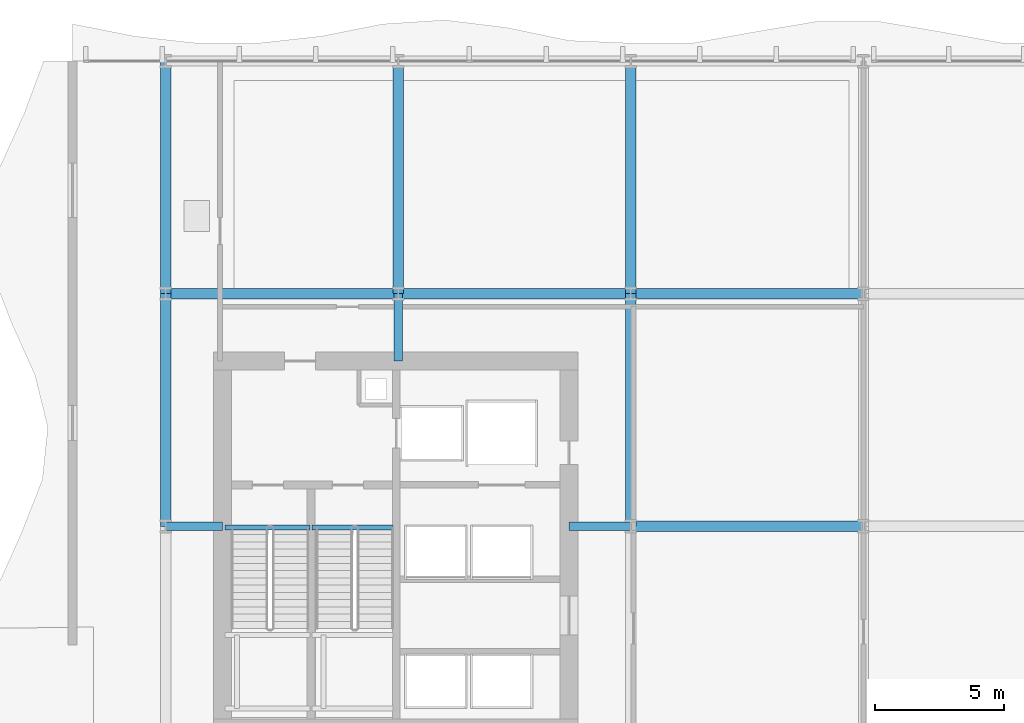
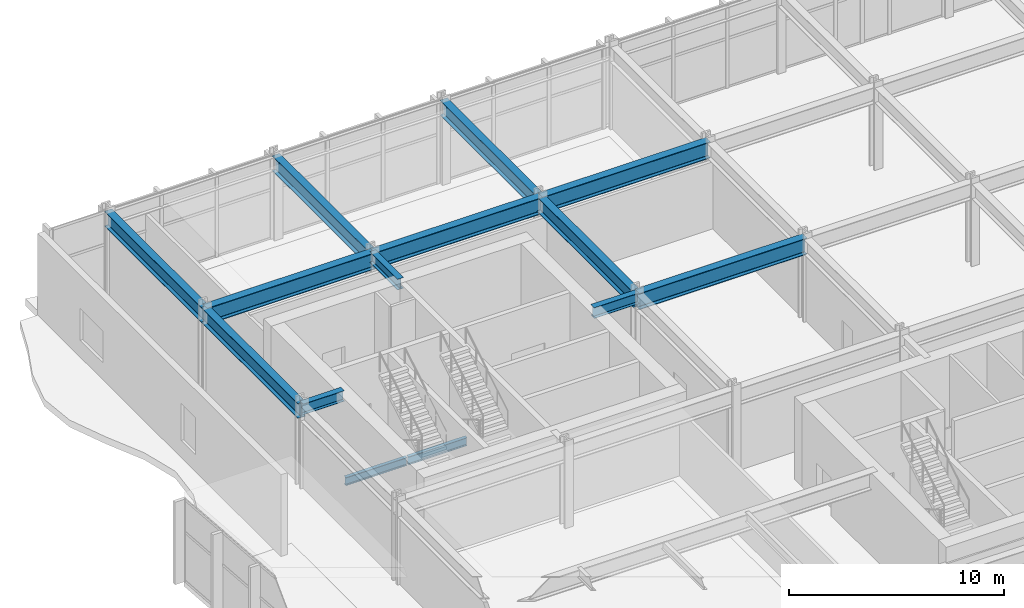
# One storey, part 12 of 28: 14 beams.
"""IFC4 building model written with IfcOpenShell, lengths in metres."""

from ifc_helpers import new_model, si_unit, direction, frame, origin, origin_2d, place, context, subcontext, project, spatial, i_section, extrude, material, material_profile, profile_set, type_object, element, save


model = new_model("IFC4")

# Units and contexts
model_context = context("Model", 3, precision=1e-05, world=origin(), true_north=direction((0.0, 1.0)))
body_context = subcontext(model_context, "Body", "Model", "MODEL_VIEW")
ifc_project = project(units=[si_unit("LENGTHUNIT", "METRE"), si_unit("AREAUNIT", "SQUARE_METRE"), si_unit("VOLUMEUNIT", "CUBIC_METRE"), si_unit("PLANEANGLEUNIT", "RADIAN"), si_unit("MASSUNIT", "GRAM", prefix="KILO")], contexts=[model_context])

# Site, building, storey
site_placement = place(None, origin())
site = spatial("IfcSite", under=ifc_project, at=site_placement, CompositionType="ELEMENT")
building_placement = place(site_placement, origin())
building = spatial("IfcBuilding", under=site, at=building_placement, Name="Solvaryn Broadcast Tower", CompositionType="ELEMENT")
storey_placement = place(building_placement, frame((0.0, 0.0, 16.199951171875)))
storey = spatial("IfcBuildingStorey", under=building, at=storey_placement, Name="L03", CompositionType="ELEMENT", Elevation=16.199951171875)

# Beams
ifc_material_1 = material(Name="Steel ASTM A992 Grade 50", Category="steel")
ifc_material_profile_1 = material_profile(ifc_material_1, i_section(OverallWidth=0.323974609375, OverallDepth=0.611083984375, WebThickness=0.0126953125, FlangeThickness=0.01904296875, FilletRadius=0.014892578125, at=origin_2d()))
ifc_profile_set_1 = profile_set([ifc_material_profile_1], Name="Steel ASTM A992 Grade 50")
beam_type_1 = type_object("IfcBeamType", Name="BM-B1-W24X104", PredefinedType="BEAM", material=ifc_profile_set_1)
beam_1_placement = place(storey_placement, frame((9.0, 36.0, 4.37451171875), z_axis=(1.0, 0.0, 0.0), x_axis=(0.0, 1.0, 0.0)))
element("IfcBeam", 1, at=beam_1_placement, inside=storey, type_object=beam_type_1, Name="L03 Core Tie Beam CTW1", PredefinedType="BEAM", context=body_context, shape_type="SweptSolid", body=[
    extrude(i_section(OverallWidth=0.323974609375, OverallDepth=0.611083984375, WebThickness=0.0126953125, FlangeThickness=0.01904296875, FilletRadius=0.014892578125, at=origin_2d()), origin(), (0.0, 0.0, 1.0), 2.199951171875),
])
beam_2_placement = place(storey_placement, frame((24.60009765625, 36.0, 4.37451171875), z_axis=(1.0, 0.0, 0.0), x_axis=(0.0, 1.0, 0.0)))
element("IfcBeam", 2, at=beam_2_placement, inside=storey, type_object=beam_type_1, Name="L03 Core Tie Beam CTW2", PredefinedType="BEAM", context=body_context, shape_type="SweptSolid", body=[
    extrude(i_section(OverallWidth=0.323974609375, OverallDepth=0.611083984375, WebThickness=0.0126953125, FlangeThickness=0.01904296875, FilletRadius=0.014892578125, at=origin_2d()), origin(), (0.0, 0.0, 1.0), 2.39990234375),
])
beam_3_placement = place(storey_placement, frame((18.0, 42.39990234375, 4.37451171875), z_axis=(0.0, 1.0, 0.0), x_axis=(-1.0, 0.0, 0.0)))
element("IfcBeam", 3, at=beam_3_placement, inside=storey, type_object=beam_type_1, Name="L03 Core Tie Beam CTW3", PredefinedType="BEAM", context=body_context, shape_type="SweptSolid", body=[
    extrude(i_section(OverallWidth=0.323974609375, OverallDepth=0.611083984375, WebThickness=0.0126953125, FlangeThickness=0.01904296875, FilletRadius=0.014892578125, at=origin_2d()), origin(), (0.0, 0.0, 1.0), 2.60009765625),
])
ifc_material_2 = material(Name="Steel ASTM A992 Grade 50", Category="steel")
ifc_material_profile_2 = material_profile(ifc_material_2, i_section(OverallWidth=0.18994140625, OverallDepth=0.45703125, WebThickness=0.009033203125, FlangeThickness=0.014404296875, FilletRadius=0.011962890625, at=origin_2d()))
ifc_profile_set_2 = profile_set([ifc_material_profile_2], Name="Steel ASTM A992 Grade 50")
beam_type_2 = type_object("IfcBeamType", Name="BM-B4-W18X50", PredefinedType="BEAM", material=ifc_profile_set_2)
beam_4_placement = place(storey_placement, frame((11.300048828125, 35.9599609375, -0.54833984375), z_axis=(1.0, 0.0, 0.0), x_axis=(0.0, 1.0, 0.0)))
element("IfcBeam", 4, at=beam_4_placement, inside=storey, type_object=beam_type_2, Name="L03 ST1 Stair Well Trimmer Beam", PredefinedType="BEAM", context=body_context, shape_type="SweptSolid", body=[
    extrude(i_section(OverallWidth=0.18994140625, OverallDepth=0.45703125, WebThickness=0.009033203125, FlangeThickness=0.014404296875, FilletRadius=0.011962890625, at=origin_2d()), origin(), (0.0, 0.0, 1.0), 3.280029296875),
])
beam_5_placement = place(storey_placement, frame((14.659912109375, 35.9599609375, -0.54833984375), z_axis=(1.0, 0.0, 0.0), x_axis=(0.0, 1.0, 0.0)))
element("IfcBeam", 5, at=beam_5_placement, inside=storey, type_object=beam_type_2, Name="L03 ST2 Stair Well Trimmer Beam", PredefinedType="BEAM", context=body_context, shape_type="SweptSolid", body=[
    extrude(i_section(OverallWidth=0.18994140625, OverallDepth=0.45703125, WebThickness=0.009033203125, FlangeThickness=0.014404296875, FilletRadius=0.011962890625, at=origin_2d()), origin(), (0.0, 0.0, 1.0), 3.14013671875),
])
ifc_material_3 = material(Name="Steel ASTM A992 Grade 50", Category="steel")
ifc_material_profile_3 = material_profile(ifc_material_3, i_section(OverallWidth=0.41796875, OverallDepth=0.927001953125, WebThickness=0.019287109375, FlangeThickness=0.031982421875, FilletRadius=0.02392578125, at=origin_2d()))
ifc_profile_set_3 = profile_set([ifc_material_profile_3], Name="Steel ASTM A992 Grade 50")
beam_type_3 = type_object("IfcBeamType", Name="BM-G2-W36X231", PredefinedType="BEAM", material=ifc_profile_set_3)
for number, where, z_axis, x_axis, name in (
    (6, (27.0, 36.0, 4.216552734375), (1.0, 0.0, 0.0), (0.0, 1.0, 0.0), "L03 Primary Beam X (27-36 @ Y=36)"),
    (7, (9.0, 45.0, 4.216552734375), (1.0, 0.0, 0.0), (0.0, 1.0, 0.0), "L03 Primary Beam X (9-18 @ Y=45)"),
    (8, (18.0, 45.0, 4.216552734375), (1.0, 0.0, 0.0), (0.0, 1.0, 0.0), "L03 Primary Beam X (18-27 @ Y=45)"),
    (9, (27.0, 45.0, 4.216552734375), (1.0, 0.0, 0.0), (0.0, 1.0, 0.0), "L03 Primary Beam X (27-36 @ Y=45)"),
):
    element("IfcBeam", number, at=place(storey_placement, frame(where, z_axis=z_axis, x_axis=x_axis)), inside=storey, type_object=beam_type_3, Name=name, PredefinedType="BEAM", context=body_context, shape_type="SweptSolid", body=[
        extrude(i_section(OverallWidth=0.41796875, OverallDepth=0.927001953125, WebThickness=0.019287109375, FlangeThickness=0.031982421875, FilletRadius=0.02392578125, at=origin_2d()), origin(), (0.0, 0.0, 1.0), 9.0),
    ])
ifc_material_4 = material(Name="Steel ASTM A992 Grade 50", Category="steel")
ifc_material_profile_4 = material_profile(ifc_material_4, i_section(OverallWidth=0.39990234375, OverallDepth=0.85498046875, WebThickness=0.018310546875, FlangeThickness=0.029296875, FilletRadius=0.02001953125, at=origin_2d()))
ifc_profile_set_4 = profile_set([ifc_material_profile_4], Name="Steel ASTM A992 Grade 50")
beam_type_4 = type_object("IfcBeamType", Name="BM-G3-W33X201", PredefinedType="BEAM", material=ifc_profile_set_4)
for number, where, z_axis, x_axis, name in (
    (10, (9.0, 36.0, 4.25244140625), (0.0, 1.0, 0.0), (-1.0, 0.0, 0.0), "L03 Primary Beam Y (36-45 @ X=9)"),
    (11, (9.0, 45.0, 4.25244140625), (0.0, 1.0, 0.0), (-1.0, 0.0, 0.0), "L03 Primary Beam Y (45-54 @ X=9)"),
    (12, (18.0, 45.0, 4.25244140625), (0.0, 1.0, 0.0), (-1.0, 0.0, 0.0), "L03 Primary Beam Y (45-54 @ X=18)"),
    (13, (27.0, 36.0, 4.25244140625), (0.0, 1.0, 0.0), (-1.0, 0.0, 0.0), "L03 Primary Beam Y (36-45 @ X=27)"),
    (14, (27.0, 45.0, 4.25244140625), (0.0, 1.0, 0.0), (-1.0, 0.0, 0.0), "L03 Primary Beam Y (45-54 @ X=27)"),
):
    element("IfcBeam", number, at=place(storey_placement, frame(where, z_axis=z_axis, x_axis=x_axis)), inside=storey, type_object=beam_type_4, Name=name, PredefinedType="BEAM", context=body_context, shape_type="SweptSolid", body=[
        extrude(i_section(OverallWidth=0.39990234375, OverallDepth=0.85498046875, WebThickness=0.018310546875, FlangeThickness=0.029296875, FilletRadius=0.02001953125, at=origin_2d()), origin(), (0.0, 0.0, 1.0), 9.0),
    ])

save(model, "model.ifc")
